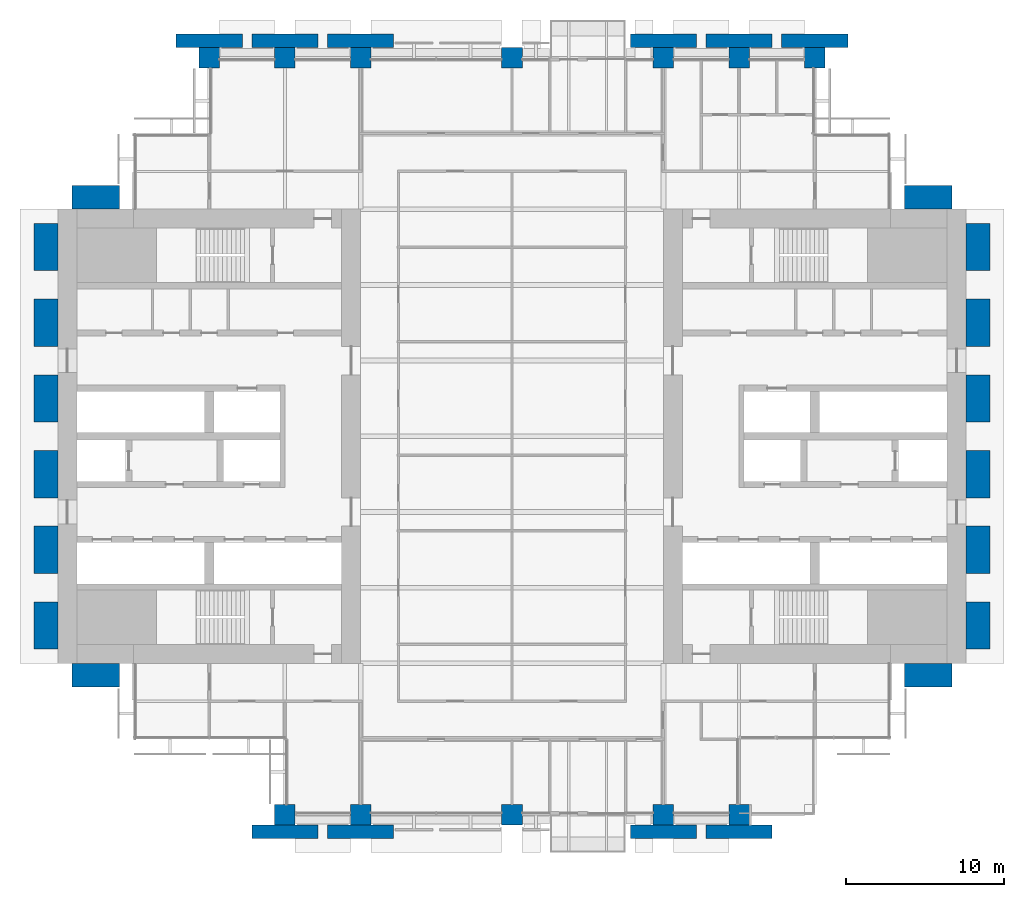
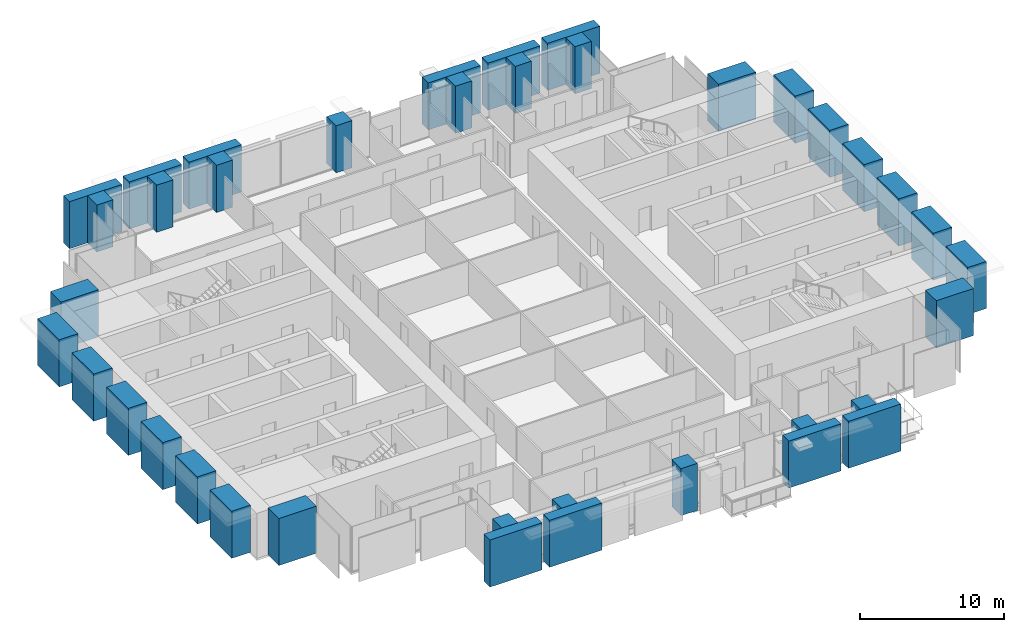
# One storey, part 1 of 15: 38 columns.
"""IFC4 building model written with IfcOpenShell, lengths in metres."""

from ifc_helpers import new_model, si_unit, direction, frame, origin, origin_2d, place, context, subcontext, project, spatial, rectangle, extrude, material, material_profile, profile_set, type_object, element, save


model = new_model("IFC4")

# Units and contexts
model_context = context("Model", 3, precision=1e-05, world=origin(), true_north=direction((0.0, 1.0)))
body_context = subcontext(model_context, "Body", "Model", "MODEL_VIEW")
ifc_project = project(units=[si_unit("LENGTHUNIT", "METRE"), si_unit("AREAUNIT", "SQUARE_METRE"), si_unit("VOLUMEUNIT", "CUBIC_METRE"), si_unit("PLANEANGLEUNIT", "RADIAN"), si_unit("MASSUNIT", "GRAM", prefix="KILO")], contexts=[model_context])

# Site, building, storey
site_placement = place(None, origin())
site = spatial("IfcSite", under=ifc_project, at=site_placement, CompositionType="ELEMENT")
building_placement = place(site_placement, origin())
building = spatial("IfcBuilding", under=site, at=building_placement, Name="Baori Bourse Tower", CompositionType="ELEMENT")
storey_placement = place(building_placement, frame((0.0, 0.0, 59.0)))
storey = spatial("IfcBuildingStorey", under=building, at=storey_placement, Name="L12", CompositionType="ELEMENT", Elevation=59.0)

# Columns
ifc_material_1 = material(Name="Concrete f'c 60 MPa", Category="concrete")
ifc_material_profile_1 = material_profile(ifc_material_1, rectangle(XDim=4.199951171875, YDim=0.85009765625, at=origin_2d()), Name="RC 4200x850")
ifc_profile_set_1 = profile_set([ifc_material_profile_1], Name="Concrete f'c 60 MPa")
column_type_1 = type_object("IfcColumnType", Name="FN3 Brick pilaster 4200x850", PredefinedType="PILASTER", material=ifc_profile_set_1)
for number, where, z_axis, x_axis, name in (
    (1, (14.39990234375, -1.074951171875, 0.0), (0.0, 0.0, 1.0), (1.0, 0.0, 0.0), "Brick pilaster L12 17"),
    (2, (19.199951171875, -1.074951171875, 0.0), (0.0, 0.0, 1.0), (1.0, 0.0, 0.0), "Brick pilaster L12 18"),
    (3, (38.39990234375, -1.074951171875, 0.0), (0.0, 0.0, 1.0), (1.0, 0.0, 0.0), "Brick pilaster L12 19"),
    (4, (43.199951171875, -1.074951171875, 0.0), (0.0, 0.0, 1.0), (1.0, 0.0, 0.0), "Brick pilaster L12 20"),
    (5, (9.60009765625, 49.074951171875, 0.0), (0.0, 0.0, 1.0), (1.0, 0.0, 0.0), "Brick pilaster L12 21"),
    (6, (14.39990234375, 49.074951171875, 0.0), (0.0, 0.0, 1.0), (1.0, 0.0, 0.0), "Brick pilaster L12 22"),
    (7, (19.199951171875, 49.074951171875, 0.0), (0.0, 0.0, 1.0), (1.0, 0.0, 0.0), "Brick pilaster L12 23"),
    (8, (38.39990234375, 49.074951171875, 0.0), (0.0, 0.0, 1.0), (1.0, 0.0, 0.0), "Brick pilaster L12 24"),
    (9, (43.199951171875, 49.074951171875, 0.0), (0.0, 0.0, 1.0), (1.0, 0.0, 0.0), "Brick pilaster L12 25"),
    (10, (48.0, 49.074951171875, 0.0), (0.0, 0.0, 1.0), (1.0, 0.0, 0.0), "Brick pilaster L12 26"),
):
    element("IfcColumn", number, at=place(storey_placement, frame(where, z_axis=z_axis, x_axis=x_axis)), inside=storey, type_object=column_type_1, Name=name, PredefinedType="PILASTER", context=body_context, shape_type="SweptSolid", body=[
        extrude(rectangle(XDim=4.199951171875, YDim=0.85009765625, at=origin_2d()), origin(), (0.0, 0.0, 1.0), 4.0),
    ])
ifc_material_2 = material(Name="Concrete f'c 60 MPa", Category="concrete")
ifc_material_profile_2 = material_profile(ifc_material_2, rectangle(XDim=3.0, YDim=1.5, at=origin_2d()), Name="RC 3000x1500")
ifc_profile_set_2 = profile_set([ifc_material_profile_2], Name="Concrete f'c 60 MPa")
column_type_2 = type_object("IfcColumnType", Name="FN4 Brick flank pilaster 3000x1500", PredefinedType="PILASTER", material=ifc_profile_set_2)
for number, where, z_axis, x_axis, name in (
    (11, (55.199951171875, 8.85009765625, 0.0), (0.0, 0.0, 1.0), (1.0, 0.0, 0.0), "Brick pilaster L12 1"),
    (12, (58.35009765625, 12.0, 0.0), (0.0, 0.0, 1.0), (0.0, 1.0, 0.0), "Brick pilaster L12 2"),
    (13, (58.35009765625, 16.800048828125, 0.0), (0.0, 0.0, 1.0), (0.0, 1.0, 0.0), "Brick pilaster L12 3"),
    (14, (58.35009765625, 21.60009765625, 0.0), (0.0, 0.0, 1.0), (0.0, 1.0, 0.0), "Brick pilaster L12 4"),
    (15, (58.35009765625, 26.39990234375, 0.0), (0.0, 0.0, 1.0), (0.0, 1.0, 0.0), "Brick pilaster L12 5"),
    (16, (58.35009765625, 31.199951171875, 0.0), (0.0, 0.0, 1.0), (0.0, 1.0, 0.0), "Brick pilaster L12 6"),
    (17, (58.35009765625, 36.0, 0.0), (0.0, 0.0, 1.0), (0.0, 1.0, 0.0), "Brick pilaster L12 7"),
    (18, (55.199951171875, 39.14990234375, 0.0), (0.0, 0.0, 1.0), (1.0, 0.0, 0.0), "Brick pilaster L12 8"),
    (19, (2.39990234375, 39.14990234375, 0.0), (0.0, 0.0, 1.0), (1.0, 0.0, 0.0), "Brick pilaster L12 9"),
    (20, (-0.75, 12.0, 0.0), (0.0, 0.0, 1.0), (0.0, 1.0, 0.0), "Brick pilaster L12 10"),
    (21, (-0.75, 16.800048828125, 0.0), (0.0, 0.0, 1.0), (0.0, 1.0, 0.0), "Brick pilaster L12 11"),
    (22, (-0.75, 21.60009765625, 0.0), (0.0, 0.0, 1.0), (0.0, 1.0, 0.0), "Brick pilaster L12 12"),
    (23, (-0.75, 26.39990234375, 0.0), (0.0, 0.0, 1.0), (0.0, 1.0, 0.0), "Brick pilaster L12 13"),
    (24, (-0.75, 31.199951171875, 0.0), (0.0, 0.0, 1.0), (0.0, 1.0, 0.0), "Brick pilaster L12 14"),
    (25, (-0.75, 36.0, 0.0), (0.0, 0.0, 1.0), (0.0, 1.0, 0.0), "Brick pilaster L12 15"),
    (26, (2.39990234375, 8.85009765625, 0.0), (0.0, 0.0, 1.0), (1.0, 0.0, 0.0), "Brick pilaster L12 16"),
):
    element("IfcColumn", number, at=place(storey_placement, frame(where, z_axis=z_axis, x_axis=x_axis)), inside=storey, type_object=column_type_2, Name=name, PredefinedType="PILASTER", context=body_context, shape_type="SweptSolid", body=[
        extrude(rectangle(XDim=3.0, YDim=1.5, at=origin_2d()), origin(), (0.0, 0.0, 1.0), 4.0),
    ])
ifc_material_3 = material(Name="Concrete f'c 70 MPa", Category="concrete")
ifc_material_profile_3 = material_profile(ifc_material_3, rectangle(XDim=1.300048828125, YDim=1.300048828125, at=origin_2d()), Name="RC 1300x1300")
ifc_profile_set_3 = profile_set([ifc_material_profile_3], Name="Concrete f'c 70 MPa")
column_type_3 = type_object("IfcColumnType", Name="Perimeter column RC 1300x1300", PredefinedType="COLUMN", material=ifc_profile_set_3)
for number, where, z_axis, x_axis, name in (
    (27, (14.39990234375, 0.0, 0.0), (0.0, 0.0, 1.0), (1.0, 0.0, 0.0), "Perimeter column L12"),
    (28, (19.199951171875, 0.0, 0.0), (0.0, 0.0, 1.0), (1.0, 0.0, 0.0), "Perimeter column L12"),
    (29, (28.800048828125, 0.0, 0.0), (0.0, 0.0, 1.0), (1.0, 0.0, 0.0), "Perimeter column L12"),
    (30, (38.39990234375, 0.0, 0.0), (0.0, 0.0, 1.0), (1.0, 0.0, 0.0), "Perimeter column L12"),
    (31, (43.199951171875, 0.0, 0.0), (0.0, 0.0, 1.0), (1.0, 0.0, 0.0), "Perimeter column L12"),
    (32, (9.60009765625, 48.0, 0.0), (0.0, 0.0, 1.0), (1.0, 0.0, 0.0), "Perimeter column L12"),
    (33, (14.39990234375, 48.0, 0.0), (0.0, 0.0, 1.0), (1.0, 0.0, 0.0), "Perimeter column L12"),
    (34, (19.199951171875, 48.0, 0.0), (0.0, 0.0, 1.0), (1.0, 0.0, 0.0), "Perimeter column L12"),
    (35, (28.800048828125, 48.0, 0.0), (0.0, 0.0, 1.0), (1.0, 0.0, 0.0), "Perimeter column L12"),
    (36, (38.39990234375, 48.0, 0.0), (0.0, 0.0, 1.0), (1.0, 0.0, 0.0), "Perimeter column L12"),
    (37, (43.199951171875, 48.0, 0.0), (0.0, 0.0, 1.0), (1.0, 0.0, 0.0), "Perimeter column L12"),
    (38, (48.0, 48.0, 0.0), (0.0, 0.0, 1.0), (1.0, 0.0, 0.0), "Perimeter column L12"),
):
    element("IfcColumn", number, at=place(storey_placement, frame(where, z_axis=z_axis, x_axis=x_axis)), inside=storey, type_object=column_type_3, Name=name, PredefinedType="COLUMN", context=body_context, shape_type="SweptSolid", body=[
        extrude(rectangle(XDim=1.300048828125, YDim=1.300048828125, at=origin_2d()), origin(), (0.0, 0.0, 1.0), 4.0),
    ])

save(model, "model.ifc")
